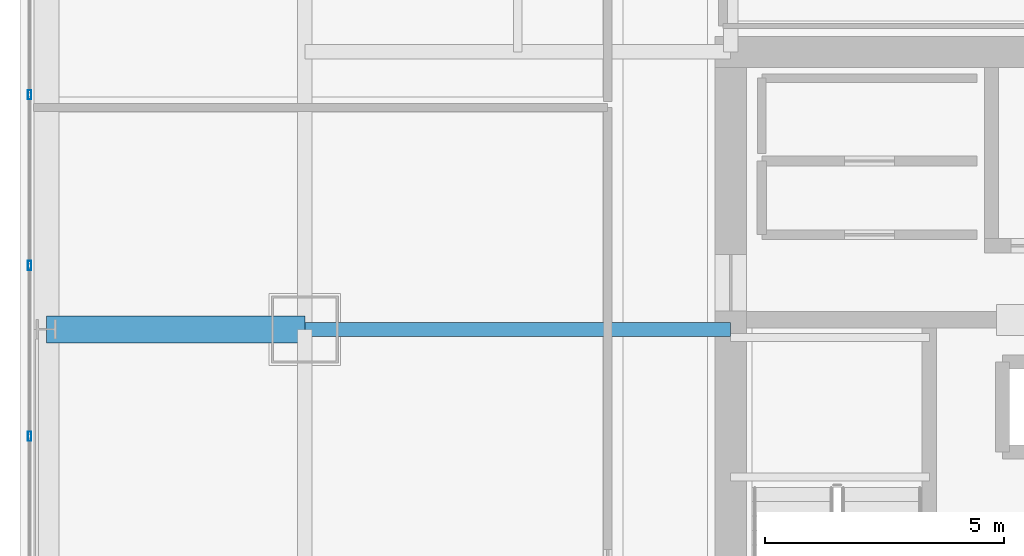
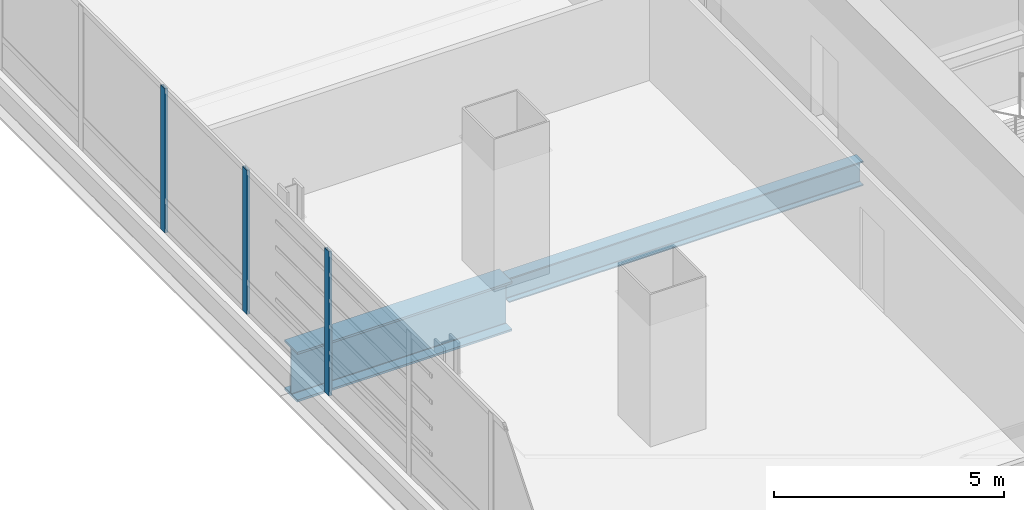
# One storey, part 11 of 37: 3 members, 2 beams, 1 element without a shape of its own.
"""IFC4 building model written with IfcOpenShell, lengths in metres."""

from ifc_helpers import new_model, si_unit, direction, frame, origin, origin_2d, place, context, subcontext, project, spatial, hollow_rectangle, i_section, extrude, material, material_profile, profile_set, type_object, element, aggregate, save


model = new_model("IFC4")

# Units and contexts
model_context = context("Model", 3, precision=1e-05, world=origin(), true_north=direction((0.0, 1.0)))
body_context = subcontext(model_context, "Body", "Model", "MODEL_VIEW")
ifc_project = project(units=[si_unit("LENGTHUNIT", "METRE"), si_unit("AREAUNIT", "SQUARE_METRE"), si_unit("VOLUMEUNIT", "CUBIC_METRE"), si_unit("PLANEANGLEUNIT", "RADIAN"), si_unit("MASSUNIT", "GRAM", prefix="KILO")], contexts=[model_context])

# Site, building, storey
site_placement = place(None, origin())
site = spatial("IfcSite", under=ifc_project, at=site_placement, CompositionType="ELEMENT")
building_placement = place(site_placement, origin())
building = spatial("IfcBuilding", under=site, at=building_placement, Name="Punatoya Terracotta Tower", CompositionType="ELEMENT")
storey_placement = place(building_placement, frame((0.0, 0.0, 192.449951171875)))
storey = spatial("IfcBuildingStorey", under=building, at=storey_placement, Name="L45", CompositionType="ELEMENT", Elevation=192.449951171875)

# Beams
ifc_material_1 = material(Name="Steel S355", Category="steel")
ifc_material_profile_1 = material_profile(ifc_material_1, i_section(OverallWidth=0.300048828125, OverallDepth=0.64990234375, WebThickness=0.01611328125, FlangeThickness=0.031005859375, FilletRadius=0.01806640625, at=origin_2d()))
ifc_profile_set_1 = profile_set([ifc_material_profile_1], Name="Steel S355")
beam_type_1 = type_object("IfcBeamType", Name="BM-PRI-650", PredefinedType="BEAM", material=ifc_profile_set_1)
beam_1_placement = place(storey_placement, frame((-19.10009765625, 3.39990234375, -0.544921875), z_axis=(1.0, 0.0, 0.0), x_axis=(0.0, 1.0, 0.0)))
element("IfcBeam", 1, at=beam_1_placement, inside=storey, type_object=beam_type_1, Name="BM-L45-PR-WE", PredefinedType="BEAM", context=body_context, shape_type="SweptSolid", body=[
    extrude(i_section(OverallWidth=0.300048828125, OverallDepth=0.64990234375, WebThickness=0.01611328125, FlangeThickness=0.031005859375, FilletRadius=0.01806640625, at=origin_2d()), origin(), (0.0, 0.0, 1.0), 8.900146484375),
])
ifc_material_2 = material(Name="Steel S460", Category="steel")
ifc_material_profile_2 = material_profile(ifc_material_2, i_section(OverallWidth=0.56005859375, OverallDepth=1.320068359375, WebThickness=0.035888671875, FlangeThickness=0.054931640625, FilletRadius=0.01806640625, at=origin_2d()))
ifc_profile_set_2 = profile_set([ifc_material_profile_2], Name="Steel S460")
beam_type_2 = type_object("IfcBeamType", Name="BM-TG-BLK", PredefinedType="BEAM", material=ifc_profile_set_2)
beam_2_placement = place(storey_placement, frame((-24.5, 3.39990234375, -0.8798828125), z_axis=(1.0, 0.0, 0.0), x_axis=(0.0, 1.0, 0.0)))
element("IfcBeam", 2, at=beam_2_placement, inside=storey, type_object=beam_type_2, Name="BM-L45-CANT-W3", PredefinedType="BEAM", context=body_context, shape_type="SweptSolid", body=[
    extrude(i_section(OverallWidth=0.56005859375, OverallDepth=1.320068359375, WebThickness=0.035888671875, FlangeThickness=0.054931640625, FilletRadius=0.01806640625, at=origin_2d()), origin(), (0.0, 0.0, 1.0), 5.39990234375),
])

# Curtain wall, members
ifc_material_3 = material(Name="Aluminium 6063-T6 + Double Low-E Glass", Category="aluminium")
curtain_wall_type = type_object("IfcCurtainWallType", Name="CW-M2", PredefinedType="NOTDEFINED", material=ifc_material_3)
curtain_wall_placement = place(storey_placement, origin())
curtain_wall = element("IfcCurtainWall", 3, at=curtain_wall_placement, inside=storey, type_object=curtain_wall_type, Name="L45 Curtain Wall CW-L45-W13-1", PredefinedType="NOTDEFINED")
ifc_material_4 = material(Name="Aluminium 6063-T6", Category="aluminium")
ifc_material_profile_3 = material_profile(ifc_material_4, hollow_rectangle(XDim=0.072021484375, YDim=0.195068359375, WallThickness=0.00439453125, at=origin_2d()))
ifc_profile_set_3 = profile_set([ifc_material_profile_3], Name="Aluminium 6063-T6")
member_type = type_object("IfcMemberType", Name="CW-MUL-M2", PredefinedType="MULLION", material=ifc_profile_set_3)
member_1_placement = place(storey_placement, frame((-24.85009765625, 8.302001953125, 0.0), z_axis=(0.0, 0.0, 1.0), x_axis=(1.0, 0.0, 0.0)))
member_1 = element("IfcMember", 4, at=member_1_placement, type_object=member_type, Name="CW-L45-W13-1 Mullion 02", PredefinedType="MULLION", context=body_context, shape_type="SweptSolid", body=[
    extrude(hollow_rectangle(XDim=0.072021484375, YDim=0.195068359375, WallThickness=0.00439453125, at=origin_2d()), origin(), (0.0, 0.0, 1.0), 3.830078125),
])
member_2_placement = place(storey_placement, frame((-24.85009765625, 4.73486328125, 0.0), z_axis=(0.0, 0.0, 1.0), x_axis=(1.0, 0.0, 0.0)))
member_2 = element("IfcMember", 5, at=member_2_placement, type_object=member_type, Name="CW-L45-W13-1 Mullion 03", PredefinedType="MULLION", context=body_context, shape_type="SweptSolid", body=[
    extrude(hollow_rectangle(XDim=0.072021484375, YDim=0.195068359375, WallThickness=0.00439453125, at=origin_2d()), origin(), (0.0, 0.0, 1.0), 3.830078125),
])
member_3_placement = place(storey_placement, frame((-24.85009765625, 1.16748046875, 0.0), z_axis=(0.0, 0.0, 1.0), x_axis=(1.0, 0.0, 0.0)))
member_3 = element("IfcMember", 6, at=member_3_placement, type_object=member_type, Name="CW-L45-W13-1 Mullion 04", PredefinedType="MULLION", context=body_context, shape_type="SweptSolid", body=[
    extrude(hollow_rectangle(XDim=0.072021484375, YDim=0.195068359375, WallThickness=0.00439453125, at=origin_2d()), origin(), (0.0, 0.0, 1.0), 3.830078125),
])
aggregate(curtain_wall, [member_1, member_2, member_3])

save(model, "model.ifc")
